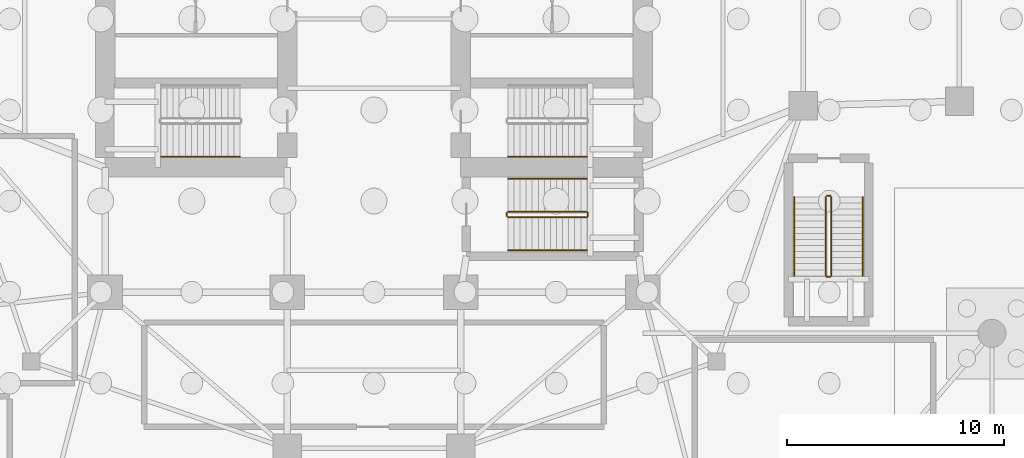
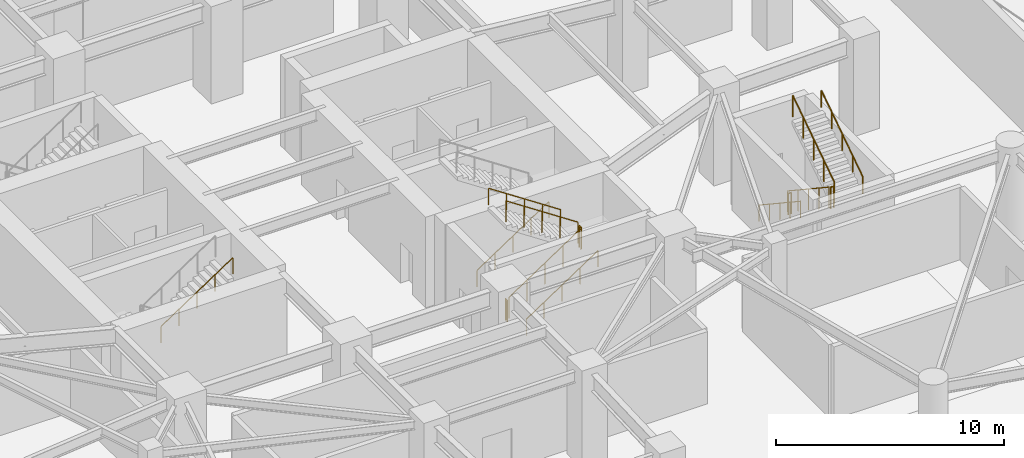
# One storey, part 9 of 14: 14 railings.
"""IFC4 building model written with IfcOpenShell, lengths in metres."""

from ifc_helpers import new_model, si_unit, direction, frame, origin, origin_2d, place, context, subcontext, project, spatial, circle, extrude, material, type_object, element, save


model = new_model("IFC4")

# Units and contexts
model_context = context("Model", 3, precision=1e-05, world=origin(), true_north=direction((0.0, 1.0)))
body_context = subcontext(model_context, "Body", "Model", "MODEL_VIEW")
ifc_project = project(units=[si_unit("LENGTHUNIT", "METRE"), si_unit("AREAUNIT", "SQUARE_METRE"), si_unit("VOLUMEUNIT", "CUBIC_METRE"), si_unit("PLANEANGLEUNIT", "RADIAN"), si_unit("MASSUNIT", "GRAM", prefix="KILO")], contexts=[model_context])

# Site, building, storey
site_placement = place(None, origin())
site = spatial("IfcSite", under=ifc_project, at=site_placement, CompositionType="ELEMENT")
building_placement = place(site_placement, origin())
building = spatial("IfcBuilding", under=site, at=building_placement, Name="Qingluan Cross Belvedere", CompositionType="ELEMENT")
storey_placement = place(building_placement, frame((0.0, 0.0, -10.39990234375)))
storey = spatial("IfcBuildingStorey", under=building, at=storey_placement, Name="B2", CompositionType="ELEMENT", Elevation=-10.39990234375)

# Railings
ifc_material_1 = material(Name="Brushed stainless steel tubular handrail", Category="steel")
railing_type_1 = type_object("IfcRailingType", Name="StairPitchHandrail_900", PredefinedType="HANDRAIL", material=ifc_material_1)
for number, where, name in (
    (1, (-9.820068359375, -6.35009765625, 2.78564453125), "B2 ST1 stair handrail 2"),
    (2, (6.179931640625, -6.35009765625, 0.185546875), "B2 ST2 stair handrail 1"),
    (3, (6.179931640625, -10.669921875, 0.185546875), "B2 ST4 stair handrail 1"),
):
    element("IfcRailing", number, at=place(storey_placement, frame(where)), inside=storey, type_object=railing_type_1, Name=name, PredefinedType="HANDRAIL", context=body_context, shape_type="SweptSolid", body=[
        extrude(circle(Radius=0.02392578125, at=origin_2d()), frame((0.0, 0.0, 0.8759765625), z_axis=(0.833363587613, 0.0, 0.552725185641), x_axis=(0.0, 1.0, 0.0)), (0.0, 0.0, 1.0), 4.367919921875),
        extrude(circle(Radius=0.02099609375, at=origin_2d()), origin(), (0.0, 0.0, 1.0), 0.851806640625),
        extrude(circle(Radius=0.02099609375, at=origin_2d()), frame((0.91015625, 0.0, 0.603515625)), (0.0, 0.0, 1.0), 0.851806640625),
        extrude(circle(Radius=0.02099609375, at=origin_2d()), frame((1.820068359375, 0.0, 1.20703125)), (0.0, 0.0, 1.0), 0.851806640625),
        extrude(circle(Radius=0.02099609375, at=origin_2d()), frame((2.72998046875, 0.0, 1.810791015625)), (0.0, 0.0, 1.0), 0.851806640625),
        extrude(circle(Radius=0.02099609375, at=origin_2d()), frame((3.64013671875, 0.0, 2.414306640625)), (0.0, 0.0, 1.0), 0.851806640625),
    ])
railing_1_placement = place(storey_placement, frame((9.820068359375, -7.3701171875, 2.78564453125)))
element("IfcRailing", 4, at=railing_1_placement, inside=storey, type_object=railing_type_1, Name="B2 ST4 stair handrail 2", PredefinedType="HANDRAIL", context=body_context, shape_type="SweptSolid", body=[
    extrude(circle(Radius=0.02392578125, at=origin_2d()), frame((0.0, 0.0, 0.8759765625), z_axis=(-0.833363587613, 0.0, 0.552725185641), x_axis=(0.0, -1.0, 0.0)), (0.0, 0.0, 1.0), 4.367919921875),
    extrude(circle(Radius=0.02099609375, at=origin_2d()), origin(), (0.0, 0.0, 1.0), 0.851806640625),
    extrude(circle(Radius=0.02099609375, at=origin_2d()), frame((-0.91015625, 0.0, 0.603515625)), (0.0, 0.0, 1.0), 0.851806640625),
    extrude(circle(Radius=0.02099609375, at=origin_2d()), frame((-1.820068359375, 0.0, 1.20703125)), (0.0, 0.0, 1.0), 0.851806640625),
    extrude(circle(Radius=0.02099609375, at=origin_2d()), frame((-2.72998046875, 0.0, 1.810791015625)), (0.0, 0.0, 1.0), 0.851806640625),
    extrude(circle(Radius=0.02099609375, at=origin_2d()), frame((-3.64013671875, 0.0, 2.414306640625)), (0.0, 0.0, 1.0), 0.851806640625),
])
railing_2_placement = place(storey_placement, frame((19.389892578125, -8.2099609375, 0.185546875)))
element("IfcRailing", 5, at=railing_2_placement, inside=storey, type_object=railing_type_1, Name="B2 ST6 stair handrail 1", PredefinedType="HANDRAIL", context=body_context, shape_type="SweptSolid", body=[
    extrude(circle(Radius=0.02392578125, at=origin_2d()), frame((0.0, 0.0, 0.8759765625), z_axis=(0.0, -0.833363587613, 0.552725185641), x_axis=(1.0, 0.0, 0.0)), (0.0, 0.0, 1.0), 4.367919921875),
    extrude(circle(Radius=0.02099609375, at=origin_2d()), origin(), (0.0, 0.0, 1.0), 0.851806640625),
    extrude(circle(Radius=0.02099609375, at=origin_2d()), frame((0.0, -0.91015625, 0.603515625)), (0.0, 0.0, 1.0), 0.851806640625),
    extrude(circle(Radius=0.02099609375, at=origin_2d()), frame((0.0, -1.820068359375, 1.20703125)), (0.0, 0.0, 1.0), 0.851806640625),
    extrude(circle(Radius=0.02099609375, at=origin_2d()), frame((0.0, -2.72998046875, 1.810791015625)), (0.0, 0.0, 1.0), 0.851806640625),
    extrude(circle(Radius=0.02099609375, at=origin_2d()), frame((0.0, -3.64013671875, 2.414306640625)), (0.0, 0.0, 1.0), 0.851806640625),
])
railing_3_placement = place(storey_placement, frame((22.550048828125, -11.85009765625, 2.78564453125)))
element("IfcRailing", 6, at=railing_3_placement, inside=storey, type_object=railing_type_1, Name="B2 ST6 stair handrail 2", PredefinedType="HANDRAIL", context=body_context, shape_type="SweptSolid", body=[
    extrude(circle(Radius=0.02392578125, at=origin_2d()), frame((0.0, 0.0, 0.8759765625), z_axis=(0.0, 0.833363587613, 0.552725185641), x_axis=(-1.0, 0.0, 0.0)), (0.0, 0.0, 1.0), 4.367919921875),
    extrude(circle(Radius=0.02099609375, at=origin_2d()), origin(), (0.0, 0.0, 1.0), 0.851806640625),
    extrude(circle(Radius=0.02099609375, at=origin_2d()), frame((0.0, 0.91015625, 0.603515625)), (0.0, 0.0, 1.0), 0.851806640625),
    extrude(circle(Radius=0.02099609375, at=origin_2d()), frame((0.0, 1.820068359375, 1.20703125)), (0.0, 0.0, 1.0), 0.851806640625),
    extrude(circle(Radius=0.02099609375, at=origin_2d()), frame((0.0, 2.72998046875, 1.810791015625)), (0.0, 0.0, 1.0), 0.851806640625),
    extrude(circle(Radius=0.02099609375, at=origin_2d()), frame((0.0, 3.64013671875, 2.414306640625)), (0.0, 0.0, 1.0), 0.851806640625),
])
ifc_material_2 = material(Name="Painted steel stair well guard", Category="steel")
railing_type_2 = type_object("IfcRailingType", Name="StairWellGuard_1150", PredefinedType="BALUSTRADE", material=ifc_material_2)
railing_4_placement = place(storey_placement, frame((6.179931640625, -9.14990234375, 0.185546875)))
element("IfcRailing", 7, at=railing_4_placement, inside=storey, type_object=railing_type_2, Name="B2 ST4 stair guard 1", PredefinedType="BALUSTRADE", context=body_context, shape_type="SweptSolid", body=[
    extrude(circle(Radius=0.02392578125, at=origin_2d()), frame((0.0, 0.0, 1.1259765625), z_axis=(0.833363587613, 0.0, 0.552725185641), x_axis=(0.0, 1.0, 0.0)), (0.0, 0.0, 1.0), 4.367919921875),
    extrude(circle(Radius=0.02099609375, at=origin_2d()), origin(), (0.0, 0.0, 1.0), 1.101806640625),
    extrude(circle(Radius=0.02099609375, at=origin_2d()), frame((0.91015625, 0.0, 0.603515625)), (0.0, 0.0, 1.0), 1.101806640625),
    extrude(circle(Radius=0.02099609375, at=origin_2d()), frame((1.820068359375, 0.0, 1.20703125)), (0.0, 0.0, 1.0), 1.101806640625),
    extrude(circle(Radius=0.02099609375, at=origin_2d()), frame((2.72998046875, 0.0, 1.810791015625)), (0.0, 0.0, 1.0), 1.101806640625),
    extrude(circle(Radius=0.02099609375, at=origin_2d()), frame((3.64013671875, 0.0, 2.414306640625)), (0.0, 0.0, 1.0), 1.101806640625),
])
railing_5_placement = place(storey_placement, frame((9.8701171875, -9.10009765625, 2.599853515625)))
element("IfcRailing", 8, at=railing_5_placement, inside=storey, type_object=railing_type_2, Name="B2 ST4 stair guard 2", PredefinedType="BALUSTRADE", context=body_context, shape_type="SweptSolid", body=[
    extrude(circle(Radius=0.02392578125, at=origin_2d()), frame((0.0, 0.0, 1.1259765625), z_axis=(0.0, 1.0, 0.0), x_axis=(-1.0, 0.0, 0.0)), (0.0, 0.0, 1.0), 0.16015625),
    extrude(circle(Radius=0.02099609375, at=origin_2d()), origin(), (0.0, 0.0, 1.0), 1.101806640625),
    extrude(circle(Radius=0.02099609375, at=origin_2d()), frame((0.0, 0.16015625, 0.0)), (0.0, 0.0, 1.0), 1.101806640625),
])
railing_6_placement = place(storey_placement, frame((9.820068359375, -8.889892578125, 2.78564453125)))
element("IfcRailing", 9, at=railing_6_placement, inside=storey, type_object=railing_type_2, Name="B2 ST4 stair guard 3", PredefinedType="BALUSTRADE", context=body_context, shape_type="SweptSolid", body=[
    extrude(circle(Radius=0.02392578125, at=origin_2d()), frame((0.0, 0.0, 1.1259765625), z_axis=(-0.833363587613, 0.0, 0.552725185641), x_axis=(0.0, -1.0, 0.0)), (0.0, 0.0, 1.0), 4.367919921875),
    extrude(circle(Radius=0.02099609375, at=origin_2d()), origin(), (0.0, 0.0, 1.0), 1.101806640625),
    extrude(circle(Radius=0.02099609375, at=origin_2d()), frame((-0.91015625, 0.0, 0.603515625)), (0.0, 0.0, 1.0), 1.101806640625),
    extrude(circle(Radius=0.02099609375, at=origin_2d()), frame((-1.820068359375, 0.0, 1.20703125)), (0.0, 0.0, 1.0), 1.101806640625),
    extrude(circle(Radius=0.02099609375, at=origin_2d()), frame((-2.72998046875, 0.0, 1.810791015625)), (0.0, 0.0, 1.0), 1.101806640625),
    extrude(circle(Radius=0.02099609375, at=origin_2d()), frame((-3.64013671875, 0.0, 2.414306640625)), (0.0, 0.0, 1.0), 1.101806640625),
])
railing_7_placement = place(storey_placement, frame((6.1298828125, -9.10009765625, 0.0)))
element("IfcRailing", 10, at=railing_7_placement, inside=storey, type_object=railing_type_2, Name="B2 ST4 stair guard 4", PredefinedType="BALUSTRADE", context=body_context, shape_type="SweptSolid", body=[
    extrude(circle(Radius=0.02392578125, at=origin_2d()), frame((0.0, 0.0, 1.1259765625), z_axis=(0.0, 1.0, 0.0), x_axis=(-1.0, 0.0, 0.0)), (0.0, 0.0, 1.0), 0.16015625),
    extrude(circle(Radius=0.02099609375, at=origin_2d()), origin(), (0.0, 0.0, 1.0), 1.101806640625),
    extrude(circle(Radius=0.02099609375, at=origin_2d()), frame((0.0, 0.16015625, 0.0)), (0.0, 0.0, 1.0), 1.101806640625),
])
railing_8_placement = place(storey_placement, frame((20.840087890625, -8.2099609375, 0.185546875)))
element("IfcRailing", 11, at=railing_8_placement, inside=storey, type_object=railing_type_2, Name="B2 ST6 stair guard 1", PredefinedType="BALUSTRADE", context=body_context, shape_type="SweptSolid", body=[
    extrude(circle(Radius=0.02392578125, at=origin_2d()), frame((0.0, 0.0, 1.1259765625), z_axis=(0.0, -0.833363587613, 0.552725185641), x_axis=(1.0, 0.0, 0.0)), (0.0, 0.0, 1.0), 4.367919921875),
    extrude(circle(Radius=0.02099609375, at=origin_2d()), origin(), (0.0, 0.0, 1.0), 1.101806640625),
    extrude(circle(Radius=0.02099609375, at=origin_2d()), frame((0.0, -0.91015625, 0.603515625)), (0.0, 0.0, 1.0), 1.101806640625),
    extrude(circle(Radius=0.02099609375, at=origin_2d()), frame((0.0, -1.820068359375, 1.20703125)), (0.0, 0.0, 1.0), 1.101806640625),
    extrude(circle(Radius=0.02099609375, at=origin_2d()), frame((0.0, -2.72998046875, 1.810791015625)), (0.0, 0.0, 1.0), 1.101806640625),
    extrude(circle(Radius=0.02099609375, at=origin_2d()), frame((0.0, -3.64013671875, 2.414306640625)), (0.0, 0.0, 1.0), 1.101806640625),
])
railing_9_placement = place(storey_placement, frame((20.889892578125, -11.89990234375, 2.599853515625)))
element("IfcRailing", 12, at=railing_9_placement, inside=storey, type_object=railing_type_2, Name="B2 ST6 stair guard 2", PredefinedType="BALUSTRADE", context=body_context, shape_type="SweptSolid", body=[
    extrude(circle(Radius=0.02392578125, at=origin_2d()), frame((0.0, 0.0, 1.1259765625), z_axis=(1.0, 0.0, 0.0), x_axis=(0.0, 1.0, 0.0)), (0.0, 0.0, 1.0), 0.16015625),
    extrude(circle(Radius=0.02099609375, at=origin_2d()), origin(), (0.0, 0.0, 1.0), 1.101806640625),
    extrude(circle(Radius=0.02099609375, at=origin_2d()), frame((0.16015625, 0.0, 0.0)), (0.0, 0.0, 1.0), 1.101806640625),
])
railing_10_placement = place(storey_placement, frame((21.10009765625, -11.85009765625, 2.78564453125)))
element("IfcRailing", 13, at=railing_10_placement, inside=storey, type_object=railing_type_2, Name="B2 ST6 stair guard 3", PredefinedType="BALUSTRADE", context=body_context, shape_type="SweptSolid", body=[
    extrude(circle(Radius=0.02392578125, at=origin_2d()), frame((0.0, 0.0, 1.1259765625), z_axis=(0.0, 0.833363587613, 0.552725185641), x_axis=(-1.0, 0.0, 0.0)), (0.0, 0.0, 1.0), 4.367919921875),
    extrude(circle(Radius=0.02099609375, at=origin_2d()), origin(), (0.0, 0.0, 1.0), 1.101806640625),
    extrude(circle(Radius=0.02099609375, at=origin_2d()), frame((0.0, 0.91015625, 0.603515625)), (0.0, 0.0, 1.0), 1.101806640625),
    extrude(circle(Radius=0.02099609375, at=origin_2d()), frame((0.0, 1.820068359375, 1.20703125)), (0.0, 0.0, 1.0), 1.101806640625),
    extrude(circle(Radius=0.02099609375, at=origin_2d()), frame((0.0, 2.72998046875, 1.810791015625)), (0.0, 0.0, 1.0), 1.101806640625),
    extrude(circle(Radius=0.02099609375, at=origin_2d()), frame((0.0, 3.64013671875, 2.414306640625)), (0.0, 0.0, 1.0), 1.101806640625),
])
railing_11_placement = place(storey_placement, frame((20.889892578125, -8.159912109375, 0.0)))
element("IfcRailing", 14, at=railing_11_placement, inside=storey, type_object=railing_type_2, Name="B2 ST6 stair guard 4", PredefinedType="BALUSTRADE", context=body_context, shape_type="SweptSolid", body=[
    extrude(circle(Radius=0.02392578125, at=origin_2d()), frame((0.0, 0.0, 1.1259765625), z_axis=(1.0, 0.0, 0.0), x_axis=(0.0, 1.0, 0.0)), (0.0, 0.0, 1.0), 0.16015625),
    extrude(circle(Radius=0.02099609375, at=origin_2d()), origin(), (0.0, 0.0, 1.0), 1.101806640625),
    extrude(circle(Radius=0.02099609375, at=origin_2d()), frame((0.16015625, 0.0, 0.0)), (0.0, 0.0, 1.0), 1.101806640625),
])

save(model, "model.ifc")
